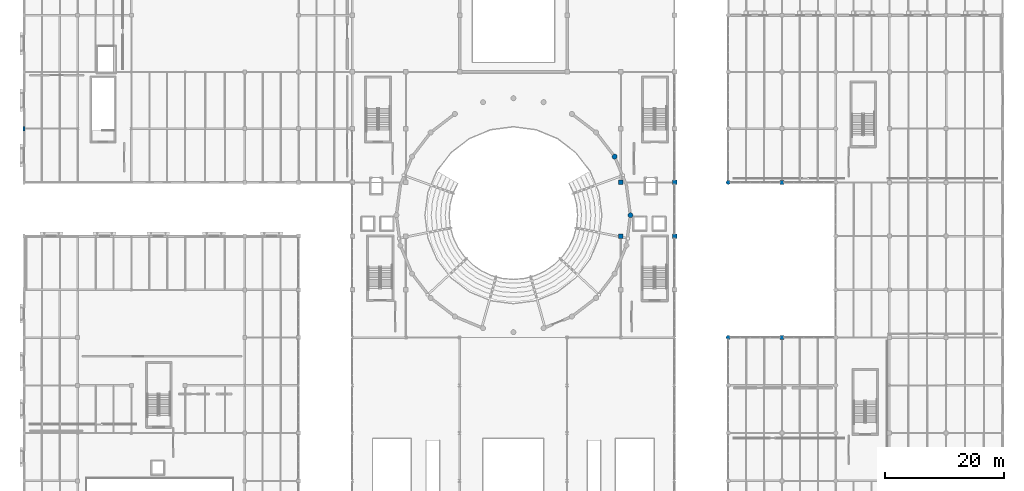
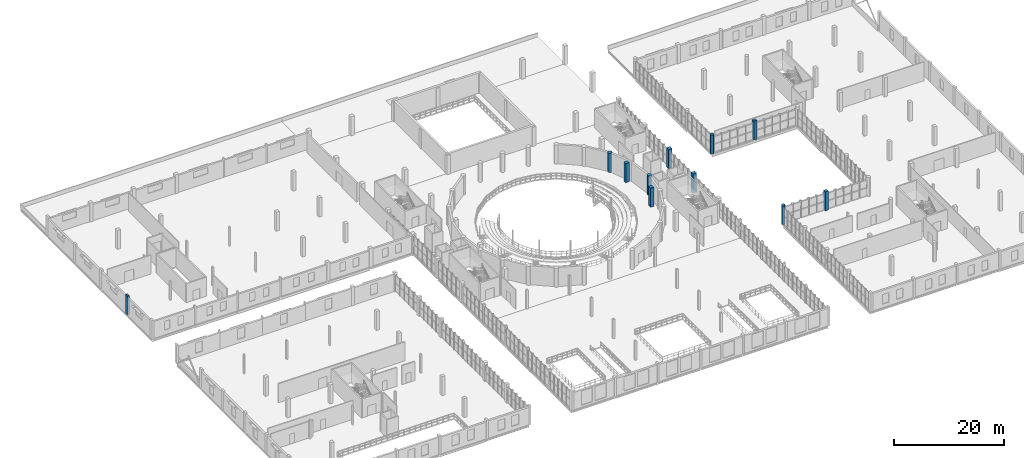
# One storey, part 11 of 85: 11 columns.
"""IFC4 building model written with IfcOpenShell, lengths in metres."""

from ifc_helpers import new_model, si_unit, direction, frame, origin, origin_2d, place, context, subcontext, project, spatial, rectangle, circle, extrude, material, material_profile, profile_set, type_object, element, save


model = new_model("IFC4")

# Units and contexts
model_context = context("Model", 3, precision=1e-05, world=origin(), true_north=direction((0.0, 1.0)))
body_context = subcontext(model_context, "Body", "Model", "MODEL_VIEW")
ifc_project = project(units=[si_unit("LENGTHUNIT", "METRE"), si_unit("AREAUNIT", "SQUARE_METRE"), si_unit("VOLUMEUNIT", "CUBIC_METRE"), si_unit("PLANEANGLEUNIT", "RADIAN"), si_unit("MASSUNIT", "GRAM", prefix="KILO")], contexts=[model_context])

# Site, building, storey
site_placement = place(None, origin())
site = spatial("IfcSite", under=ifc_project, at=site_placement, CompositionType="ELEMENT")
building_placement = place(site_placement, origin())
building = spatial("IfcBuilding", under=site, at=building_placement, Name="Marnock Terrace Opera House", CompositionType="ELEMENT")
storey_placement = place(building_placement, frame((0.0, 0.0, 10.199951171875)))
storey = spatial("IfcBuildingStorey", under=building, at=storey_placement, Name="L02", CompositionType="ELEMENT", Elevation=10.199951171875)

# Columns
ifc_material_1 = material(Name="Concrete N50 (f'c = 50 MPa)", Category="concrete")
ifc_material_profile_1 = material_profile(ifc_material_1, circle(Radius=0.425048828125, at=origin_2d()))
ifc_profile_set_1 = profile_set([ifc_material_profile_1], Name="Concrete N50 (f'c = 50 MPa)")
column_type_1 = type_object("IfcColumnType", Name="COL-DRUM-850", PredefinedType="COLUMN", material=ifc_profile_set_1)
for number, where, z_axis, x_axis, name in (
    (1, (101.60009765625, 60.5, 0.0), (0.0, 0.0, 1.0), (1.0, 0.0, 0.0), "L02 auditorium drum pier 1"),
    (2, (98.97412109375, 70.300048828125, 0.0), (0.0, 0.0, 1.0), (1.0, 0.0, 0.0), "L02 auditorium drum pier 3"),
):
    element("IfcColumn", number, at=place(storey_placement, frame(where, z_axis=z_axis, x_axis=x_axis)), inside=storey, type_object=column_type_1, Name=name, PredefinedType="COLUMN", context=body_context, shape_type="SweptSolid", body=[
        extrude(circle(Radius=0.425048828125, at=origin_2d()), origin(), (0.0, 0.0, 1.0), 4.239990234375),
    ])
ifc_material_2 = material(Name="Concrete N40 (f'c = 40 MPa)", Category="concrete")
ifc_material_profile_2 = material_profile(ifc_material_2, circle(Radius=0.35009765625, at=origin_2d()))
ifc_profile_set_2 = profile_set([ifc_material_profile_2], Name="Concrete N40 (f'c = 40 MPa)")
column_type_2 = type_object("IfcColumnType", Name="COL-LOGGIA-700", PredefinedType="COLUMN", material=ifc_profile_set_2)
for number, where, z_axis, x_axis, name in (
    (3, (118.0, 40.0, 0.0), (0.0, 0.0, 1.0), (1.0, 0.0, 0.0), "L02 column at (118.0, 40.0)"),
    (4, (118.0, 66.0, 0.0), (0.0, 0.0, 1.0), (1.0, 0.0, 0.0), "L02 column at (118.0, 66.0)"),
):
    element("IfcColumn", number, at=place(storey_placement, frame(where, z_axis=z_axis, x_axis=x_axis)), inside=storey, type_object=column_type_2, Name=name, PredefinedType="COLUMN", context=body_context, shape_type="SweptSolid", body=[
        extrude(circle(Radius=0.35009765625, at=origin_2d()), origin(), (0.0, 0.0, 1.0), 4.239990234375),
    ])
ifc_material_profile_3 = material_profile(ifc_material_2, rectangle(XDim=0.39990234375, YDim=0.699951171875, at=origin_2d()))
ifc_profile_set_3 = profile_set([ifc_material_profile_3], Name="Concrete N40 (f'c = 40 MPa)")
column_type_3 = type_object("IfcColumnType", Name="COL-PIL-700", PredefinedType="PILASTER", material=ifc_profile_set_3)
column_placement = place(storey_placement, frame((0.0, 75.0, 0.0), z_axis=(0.0, 0.0, 1.0), x_axis=(1.0, 0.0, 0.0)))
element("IfcColumn", 5, at=column_placement, inside=storey, type_object=column_type_3, Name="L02 column at (0.0, 75.0)", PredefinedType="PILASTER", context=body_context, shape_type="SweptSolid", body=[
    extrude(rectangle(XDim=0.39990234375, YDim=0.699951171875, at=origin_2d()), origin(), (0.0, 0.0, 1.0), 4.239990234375),
])
ifc_material_profile_4 = material_profile(ifc_material_2, rectangle(XDim=0.64990234375, YDim=0.64990234375, at=origin_2d()))
ifc_profile_set_4 = profile_set([ifc_material_profile_4], Name="Concrete N40 (f'c = 40 MPa)")
column_type_4 = type_object("IfcColumnType", Name="COL-RC650", PredefinedType="COLUMN", material=ifc_profile_set_4)
for number, where, z_axis, x_axis, name in (
    (6, (127.0, 40.0, 0.0), (0.0, 0.0, 1.0), (1.0, 0.0, 0.0), "L02 column at (127.0, 40.0)"),
    (7, (127.0, 66.0, 0.0), (0.0, 0.0, 1.0), (1.0, 0.0, 0.0), "L02 column at (127.0, 66.0)"),
):
    element("IfcColumn", number, at=place(storey_placement, frame(where, z_axis=z_axis, x_axis=x_axis)), inside=storey, type_object=column_type_4, Name=name, PredefinedType="COLUMN", context=body_context, shape_type="SweptSolid", body=[
        extrude(rectangle(XDim=0.64990234375, YDim=0.64990234375, at=origin_2d()), origin(), (0.0, 0.0, 1.0), 4.239990234375),
    ])
ifc_material_profile_5 = material_profile(ifc_material_1, rectangle(XDim=0.75, YDim=0.75, at=origin_2d()))
ifc_profile_set_5 = profile_set([ifc_material_profile_5], Name="Concrete N50 (f'c = 50 MPa)")
column_type_5 = type_object("IfcColumnType", Name="COL-RC750", PredefinedType="COLUMN", material=ifc_profile_set_5)
for number, where, z_axis, x_axis, name in (
    (8, (100.0, 57.0, 0.0), (0.0, 0.0, 1.0), (1.0, 0.0, 0.0), "L02 column at (100.0, 57.0)"),
    (9, (100.0, 66.0, 0.0), (0.0, 0.0, 1.0), (1.0, 0.0, 0.0), "L02 column at (100.0, 66.0)"),
    (10, (109.0, 57.0, 0.0), (0.0, 0.0, 1.0), (1.0, 0.0, 0.0), "L02 column at (109.0, 57.0)"),
    (11, (109.0, 66.0, 0.0), (0.0, 0.0, 1.0), (1.0, 0.0, 0.0), "L02 column at (109.0, 66.0)"),
):
    element("IfcColumn", number, at=place(storey_placement, frame(where, z_axis=z_axis, x_axis=x_axis)), inside=storey, type_object=column_type_5, Name=name, PredefinedType="COLUMN", context=body_context, shape_type="SweptSolid", body=[
        extrude(rectangle(XDim=0.75, YDim=0.75, at=origin_2d()), origin(), (0.0, 0.0, 1.0), 4.239990234375),
    ])

save(model, "model.ifc")
